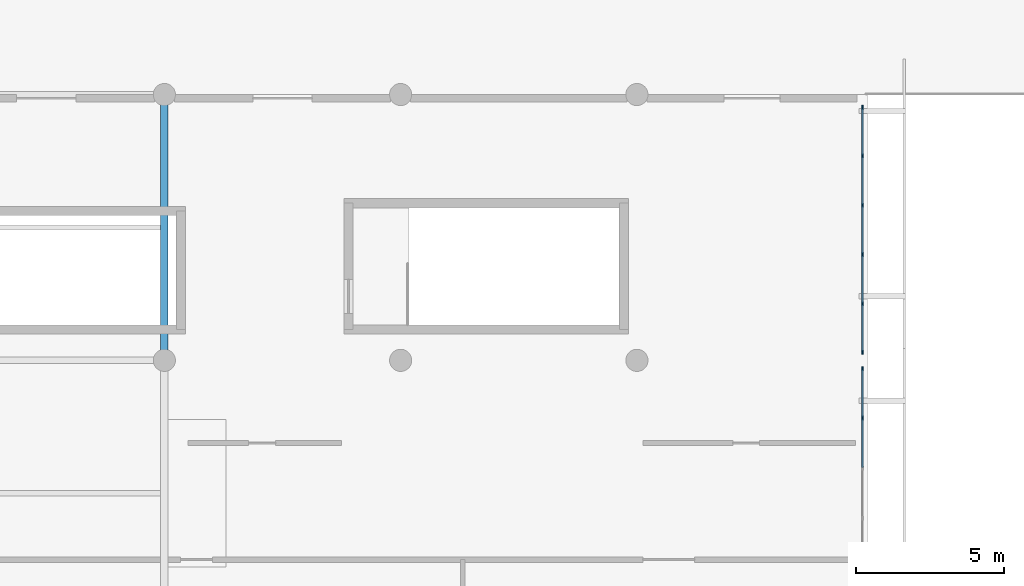
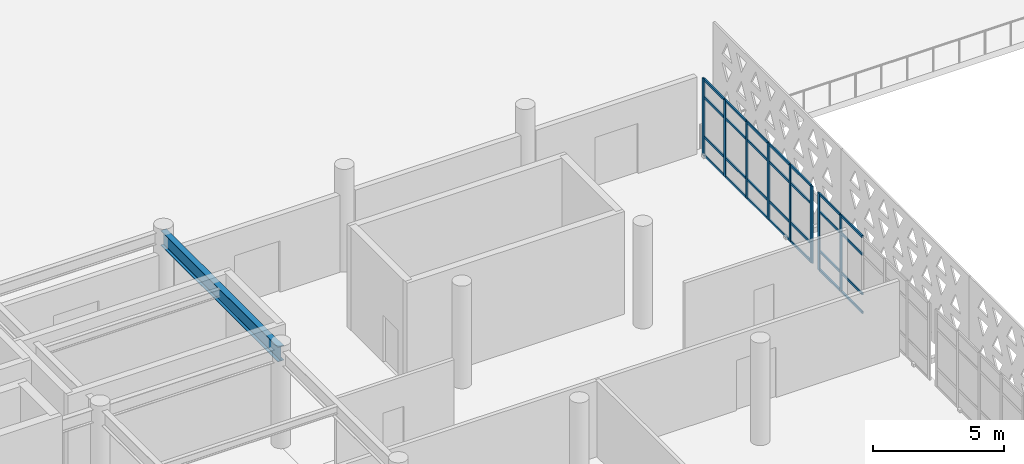
# One storey, part 15 of 33: 36 members, 1 beam, 2 elements without a shape of their own.
"""IFC4 building model written with IfcOpenShell, lengths in metres."""

import ifcopenshell
import ifcopenshell.guid

model = None  # the IFC model being written
_history = None  # IfcOwnerHistory: only IFC2X3 demands one
_inside = {}  # id of a spatial element -> (the spatial element, [elements in it])
_under = {}  # id of a project, library or spatial element -> (it, [spatial elements below it])
_declared = {}  # id of a project -> (the project, [libraries it declares])
_typed = {}  # id of a type object -> (the type object, [elements of that type])
_made_of = {}  # id of a material, layer set ... -> (it, [elements and type objects made of it])


def new_model(schema):
    """Start an empty IFC model of exactly this schema.

    Asked for "IFC4X3", IfcOpenShell would pick the latest addendum, in which some entities
    have other attributes; the version numbers below select the first issue.
    IFC2X3 requires an IfcOwnerHistory on every rooted entity: one is made here for all.
    """
    global model, _history
    if schema == "IFC4X3":
        model = ifcopenshell.file(schema_version=(4, 3, 0, 0))
    else:
        model = ifcopenshell.file(schema=schema)
    _inside.clear()
    _under.clear()
    _declared.clear()
    _typed.clear()
    _made_of.clear()
    _history = None
    if model.schema == "IFC2X3":
        org = make("IfcOrganization", Name="unknown")
        user = make(
            "IfcPersonAndOrganization",
            ThePerson=make("IfcPerson", FamilyName="unknown"),
            TheOrganization=org,
        )
        app = make(
            "IfcApplication",
            ApplicationDeveloper=org,
            Version="unknown",
            ApplicationFullName="unknown",
            ApplicationIdentifier="unknown",
        )
        _history = make(
            "IfcOwnerHistory",
            OwningUser=user,
            OwningApplication=app,
            ChangeAction="ADDED",
            CreationDate=0,
        )
    return model


def make(cls, **values):
    """One entity of the class cls with the attributes given. An attribute that is None is left unset."""
    return model.create_entity(
        cls, **{name: value for name, value in values.items() if value is not None}
    )


def rooted(cls, **values):
    """An entity with a GlobalId (a new one), such as an element, a storey or a relation."""
    return make(cls, GlobalId=ifcopenshell.guid.new(), OwnerHistory=_history, **values)


def si_unit(unit_type, name, prefix=None):
    """IfcSIUnit, for example si_unit("LENGTHUNIT", "METRE", prefix="MILLI")."""
    return make("IfcSIUnit", UnitType=unit_type, Prefix=prefix, Name=name)


def assignment(units):
    """IfcUnitAssignment: the units of a project."""
    return None if units is None else make("IfcUnitAssignment", Units=units)


def point(xyz):
    """IfcCartesianPoint."""
    return None if xyz is None else make("IfcCartesianPoint", Coordinates=xyz)


def direction(xyz):
    """IfcDirection."""
    return None if xyz is None else make("IfcDirection", DirectionRatios=xyz)


def frame(location, z_axis=None, x_axis=None):
    """IfcAxis2Placement3D, a coordinate frame: its origin and axes. An axis left out is left unset."""
    return make(
        "IfcAxis2Placement3D",
        Location=point(location),
        Axis=direction(z_axis),
        RefDirection=direction(x_axis),
    )


def frame_2d(location, x_axis=None):
    """IfcAxis2Placement2D, a coordinate frame in the plane: its origin and x axis."""
    return make(
        "IfcAxis2Placement2D", Location=point(location), RefDirection=direction(x_axis)
    )


def origin():
    """The frame at (0, 0, 0) with its axes left unset."""
    return frame((0.0, 0.0, 0.0))


def origin_2d():
    """The frame at (0, 0) in the plane with its x axis left unset."""
    return frame_2d((0.0, 0.0))


def place(relative_to, where):
    """IfcLocalPlacement: puts the frame where relative to a parent placement (None: the world)."""
    return make(
        "IfcLocalPlacement", PlacementRelTo=relative_to, RelativePlacement=where
    )


def context(
    kind, dimensions, precision=None, world=None, true_north=None, identifier=None
):
    """IfcGeometricRepresentationContext, for example the 3D "Model" context."""
    return make(
        "IfcGeometricRepresentationContext",
        ContextIdentifier=identifier,
        ContextType=kind,
        CoordinateSpaceDimension=dimensions,
        Precision=precision,
        WorldCoordinateSystem=world,
        TrueNorth=true_north,
    )


def subcontext(parent, identifier, kind, view, scale=None):
    """IfcGeometricRepresentationSubContext, for example "Body" below "Model"."""
    return make(
        "IfcGeometricRepresentationSubContext",
        ContextIdentifier=identifier,
        ContextType=kind,
        ParentContext=parent,
        TargetScale=scale,
        TargetView=view,
    )


def project(units=None, contexts=None):
    """IfcProject with its units and contexts."""
    return rooted(
        "IfcProject",
        Name="project",
        RepresentationContexts=contexts,
        UnitsInContext=assignment(units),
    )


def spatial(cls, under=None, at=None, **own):
    """A site, building, storey or space (cls), placed at a placement, below another one or the project."""
    s = rooted(cls, ObjectPlacement=at, **own)
    if under is not None:
        _under.setdefault(under.id(), (under, []))[1].append(s)
    return s


def profile(cls, at=None, kind="AREA", **sizes):
    """A parametric profile (cls). Its sizes go by their IFC names, for example OverallWidth=200.0."""
    return make(cls, ProfileType=kind, Position=at, **sizes)


def rectangle(**sizes):
    """IfcRectangleProfileDef."""
    return profile("IfcRectangleProfileDef", **sizes)


def i_section(**sizes):
    """IfcIShapeProfileDef."""
    return profile("IfcIShapeProfileDef", **sizes)


def extrude(swept, where, along, depth):
    """IfcExtrudedAreaSolid: the profile swept, set in the frame where, extruded along a direction by depth."""
    return make(
        "IfcExtrudedAreaSolid",
        SweptArea=swept,
        Position=where,
        ExtrudedDirection=direction(along),
        Depth=depth,
    )


def shape(context_of_items, identifier, shape_type, items):
    """IfcShapeRepresentation: the items that make up one representation, for example the "Body"."""
    return make(
        "IfcShapeRepresentation",
        ContextOfItems=context_of_items,
        RepresentationIdentifier=identifier,
        RepresentationType=shape_type,
        Items=items,
    )


def material(Name=None, Category=None):
    """IfcMaterial."""
    return make("IfcMaterial", Name=Name, Category=Category)


def layer(
    of_material, thickness, ventilated=None, Name=None, Category=None, Priority=None
):
    """IfcMaterialLayer: one layer of a wall or slab, of a material (None: an air gap)."""
    return make(
        "IfcMaterialLayer",
        Material=of_material,
        LayerThickness=thickness,
        IsVentilated=ventilated,
        Name=Name,
        Category=Category,
        Priority=Priority,
    )


def layer_set(layers, Name=None):
    """IfcMaterialLayerSet."""
    return make("IfcMaterialLayerSet", MaterialLayers=layers, LayerSetName=Name)


def material_profile(
    of_material, cross_section, Name=None, Category=None, Priority=None
):
    """IfcMaterialProfile: a cross section and its material."""
    return make(
        "IfcMaterialProfile",
        Name=Name,
        Material=of_material,
        Profile=cross_section,
        Priority=Priority,
        Category=Category,
    )


def profile_set(profiles, Name=None, composite=None):
    """IfcMaterialProfileSet."""
    return make(
        "IfcMaterialProfileSet",
        Name=Name,
        MaterialProfiles=profiles,
        CompositeProfile=composite,
    )


def made_of(thing, what):
    """Note that an element or type object is made of a material, layer set ...; save() writes the relation."""
    if what is not None:
        _made_of.setdefault(what.id(), (what, []))[1].append(thing)
    return thing


def type_object(cls, material=None, **own):
    """A type object (cls), such as IfcWallType, which elements share."""
    return made_of(rooted(cls, **own), material)


def element(
    cls,
    number,
    at=None,
    inside=None,
    cuts=None,
    type_object=None,
    material=None,
    context=None,
    identifier="Body",
    shape_type=None,
    held_by="IfcProductDefinitionShape",
    body=None,
    shapes=None,
    **own,
):
    """One element of the class cls, such as IfcWall. Its Tag is "e" and its number.

    at: its placement. inside: the storey or other place that contains it. cuts: it is an
    opening in that element (IfcRelVoidsElement). A single representation is given by context,
    identifier, shape_type and body (its items); several are given by shapes. held_by: the class
    of the entity that holds the representations. save() writes the other relations.
    """
    e = rooted(cls, Tag="e%d" % number, ObjectPlacement=at, **own)
    if body is not None:
        shapes = [shape(context, identifier, shape_type, body)]
    if shapes is not None:
        e.Representation = make(held_by, Representations=shapes)
    if inside is not None:
        _inside.setdefault(inside.id(), (inside, []))[1].append(e)
    if cuts is not None:
        rooted(
            "IfcRelVoidsElement", RelatingBuildingElement=cuts, RelatedOpeningElement=e
        )
    if type_object is not None:
        _typed.setdefault(type_object.id(), (type_object, []))[1].append(e)
    return made_of(e, material)


def aggregate(whole, parts):
    """IfcRelAggregates: a whole, such as a stair, and the parts it consists of."""
    return rooted("IfcRelAggregates", RelatingObject=whole, RelatedObjects=parts)


def save(model, path):
    """Write the relations noted so far, then the file.

    IfcRelAggregates (storeys below a building ...), IfcRelContainedInSpatialStructure (elements
    in a storey), IfcRelDefinesByType, IfcRelAssociatesMaterial and IfcRelDeclares: one each for
    every whole, place, type object, material and project.
    """
    for whole, parts in _under.values():
        aggregate(whole, parts)
    for where, things in _inside.values():
        rooted(
            "IfcRelContainedInSpatialStructure",
            RelatedElements=things,
            RelatingStructure=where,
        )
    for kind, things in _typed.values():
        rooted("IfcRelDefinesByType", RelatedObjects=things, RelatingType=kind)
    for what, things in _made_of.values():
        rooted("IfcRelAssociatesMaterial", RelatedObjects=things, RelatingMaterial=what)
    for by, libraries in _declared.values():
        rooted("IfcRelDeclares", RelatingContext=by, RelatedDefinitions=libraries)
    model.write(path)


model = new_model("IFC4")

# Units and contexts
model_context = context("Model", 3, precision=1e-05, world=origin(), true_north=direction((0.0, 1.0)))
body_context = subcontext(model_context, "Body", "Model", "MODEL_VIEW")
ifc_project = project(units=[si_unit("LENGTHUNIT", "METRE"), si_unit("AREAUNIT", "SQUARE_METRE"), si_unit("VOLUMEUNIT", "CUBIC_METRE"), si_unit("PLANEANGLEUNIT", "RADIAN"), si_unit("MASSUNIT", "GRAM", prefix="KILO")], contexts=[model_context])

# Site, building, storey
site_placement = place(None, origin())
site = spatial("IfcSite", under=ifc_project, at=site_placement, CompositionType="ELEMENT")
building_placement = place(site_placement, origin())
building = spatial("IfcBuilding", under=site, at=building_placement, Name="Tlacozan Convention Centre", CompositionType="ELEMENT")
storey_placement = place(building_placement, frame((0.0, 0.0, 16.199951171875)))
storey = spatial("IfcBuildingStorey", under=building, at=storey_placement, Name="L03", CompositionType="ELEMENT", Elevation=16.199951171875)

# Curtain wall, members
ifc_material_1 = material(Name="Dark Bronze Anodised Aluminium", Category="aluminium")
ifc_layer = layer(ifc_material_1, 0.159912109375)
ifc_layer_set = layer_set([ifc_layer], Name="Dark Bronze Anodised Aluminium")
curtain_wall_type = type_object("IfcCurtainWallType", Name="Unitised Congress Gable End CW06", PredefinedType="NOTDEFINED", material=ifc_layer_set)
curtain_wall_1_placement = place(storey_placement, origin())
curtain_wall_1 = element("IfcCurtainWall", 1, at=curtain_wall_1_placement, inside=storey, type_object=curtain_wall_type, Name="L03 CW-06 Run 121", PredefinedType="NOTDEFINED")
ifc_material_profile_1 = material_profile(ifc_material_1, rectangle(XDim=0.06005859375, YDim=0.139892578125, at=origin_2d()), Name="ALU 60x140")
ifc_profile_set_1 = profile_set([ifc_material_profile_1], Name="Dark Bronze Anodised Aluminium")
member_type_1 = type_object("IfcMemberType", Name="Curtain Wall Light Mullion 60x140", PredefinedType="MULLION", material=ifc_profile_set_1)
member_1_placement = place(storey_placement, frame((119.639892578125, 16.050048828125, 0.0), z_axis=(0.0, 0.0, 1.0), x_axis=(-1.0, 0.0, 0.0)))
member_1 = element("IfcMember", 2, at=member_1_placement, type_object=member_type_1, Name="CW-06 mullion 5", PredefinedType="MULLION", context=body_context, shape_type="SweptSolid", body=[
    extrude(rectangle(XDim=0.06005859375, YDim=0.139892578125, at=origin_2d()), origin(), (0.0, 0.0, 1.0), 3.60009765625),
])
member_2_placement = place(storey_placement, frame((119.639892578125, 17.719970703125, 0.0), z_axis=(0.0, 0.0, 1.0), x_axis=(-1.0, 0.0, 0.0)))
member_2 = element("IfcMember", 3, at=member_2_placement, type_object=member_type_1, Name="CW-06 mullion 6", PredefinedType="MULLION", context=body_context, shape_type="SweptSolid", body=[
    extrude(rectangle(XDim=0.06005859375, YDim=0.139892578125, at=origin_2d()), origin(), (0.0, 0.0, 1.0), 3.60009765625),
])

curtain_wall_2_placement = place(storey_placement, origin())
curtain_wall_2 = element("IfcCurtainWall", 4, at=curtain_wall_2_placement, inside=storey, type_object=curtain_wall_type, Name="L03 CW-06 Run 123", PredefinedType="NOTDEFINED")
member_3_placement = place(storey_placement, frame((119.639892578125, 18.280029296875, 0.0), z_axis=(0.0, 0.0, 1.0), x_axis=(-1.0, 0.0, 0.0)))
member_3 = element("IfcMember", 5, at=member_3_placement, type_object=member_type_1, Name="CW-06 mullion 1", PredefinedType="MULLION", context=body_context, shape_type="SweptSolid", body=[
    extrude(rectangle(XDim=0.06005859375, YDim=0.139892578125, at=origin_2d()), origin(), (0.0, 0.0, 1.0), 3.60009765625),
])
member_4_placement = place(storey_placement, frame((119.639892578125, 19.91796875, 0.0), z_axis=(0.0, 0.0, 1.0), x_axis=(-1.0, 0.0, 0.0)))
member_4 = element("IfcMember", 6, at=member_4_placement, type_object=member_type_1, Name="CW-06 mullion 2", PredefinedType="MULLION", context=body_context, shape_type="SweptSolid", body=[
    extrude(rectangle(XDim=0.06005859375, YDim=0.139892578125, at=origin_2d()), origin(), (0.0, 0.0, 1.0), 3.60009765625),
])
member_5_placement = place(storey_placement, frame((119.639892578125, 21.5859375, 0.0), z_axis=(0.0, 0.0, 1.0), x_axis=(-1.0, 0.0, 0.0)))
member_5 = element("IfcMember", 7, at=member_5_placement, type_object=member_type_1, Name="CW-06 mullion 3", PredefinedType="MULLION", context=body_context, shape_type="SweptSolid", body=[
    extrude(rectangle(XDim=0.06005859375, YDim=0.139892578125, at=origin_2d()), origin(), (0.0, 0.0, 1.0), 3.60009765625),
])
member_6_placement = place(storey_placement, frame((119.639892578125, 23.25390625, 0.0), z_axis=(0.0, 0.0, 1.0), x_axis=(-1.0, 0.0, 0.0)))
member_6 = element("IfcMember", 8, at=member_6_placement, type_object=member_type_1, Name="CW-06 mullion 4", PredefinedType="MULLION", context=body_context, shape_type="SweptSolid", body=[
    extrude(rectangle(XDim=0.06005859375, YDim=0.139892578125, at=origin_2d()), origin(), (0.0, 0.0, 1.0), 3.60009765625),
])
member_7_placement = place(storey_placement, frame((119.639892578125, 24.922119140625, 0.0), z_axis=(0.0, 0.0, 1.0), x_axis=(-1.0, 0.0, 0.0)))
member_7 = element("IfcMember", 9, at=member_7_placement, type_object=member_type_1, Name="CW-06 mullion 5", PredefinedType="MULLION", context=body_context, shape_type="SweptSolid", body=[
    extrude(rectangle(XDim=0.06005859375, YDim=0.139892578125, at=origin_2d()), origin(), (0.0, 0.0, 1.0), 3.60009765625),
])
member_8_placement = place(storey_placement, frame((119.639892578125, 26.56005859375, 0.0), z_axis=(0.0, 0.0, 1.0), x_axis=(-1.0, 0.0, 0.0)))
member_8 = element("IfcMember", 10, at=member_8_placement, type_object=member_type_1, Name="CW-06 mullion 6", PredefinedType="MULLION", context=body_context, shape_type="SweptSolid", body=[
    extrude(rectangle(XDim=0.06005859375, YDim=0.139892578125, at=origin_2d()), origin(), (0.0, 0.0, 1.0), 3.60009765625),
])

# Member
ifc_material_profile_2 = material_profile(ifc_material_1, rectangle(XDim=0.06005859375, YDim=0.110107421875, at=origin_2d()), Name="ALU 60x110")
ifc_profile_set_2 = profile_set([ifc_material_profile_2], Name="Dark Bronze Anodised Aluminium")
member_type_2 = type_object("IfcMemberType", Name="Curtain Wall Light Transom 60x110", PredefinedType="USERDEFINED", material=ifc_profile_set_2)
member_9_placement = place(storey_placement, frame((119.639892578125, 14.3798828125, 0.030029296875), z_axis=(0.0, 1.0, 0.0), x_axis=(-1.0, 0.0, 0.0)))
member_9 = element("IfcMember", 11, at=member_9_placement, type_object=member_type_2, Name="CW-06 transom 4.1", ObjectType="TRANSOM", PredefinedType="USERDEFINED", context=body_context, shape_type="SweptSolid", body=[
    extrude(rectangle(XDim=0.06005859375, YDim=0.110107421875, at=origin_2d()), origin(), (0.0, 0.0, 1.0), 1.64013671875),
])

member_10_placement = place(storey_placement, frame((119.639892578125, 14.3798828125, 0.900146484375), z_axis=(0.0, 1.0, 0.0), x_axis=(-1.0, 0.0, 0.0)))
member_10 = element("IfcMember", 12, at=member_10_placement, type_object=member_type_2, Name="CW-06 transom 4.2", ObjectType="TRANSOM", PredefinedType="USERDEFINED", context=body_context, shape_type="SweptSolid", body=[
    extrude(rectangle(XDim=0.06005859375, YDim=0.110107421875, at=origin_2d()), origin(), (0.0, 0.0, 1.0), 1.64013671875),
])

member_11_placement = place(storey_placement, frame((119.639892578125, 14.3798828125, 2.75), z_axis=(0.0, 1.0, 0.0), x_axis=(-1.0, 0.0, 0.0)))
member_11 = element("IfcMember", 13, at=member_11_placement, type_object=member_type_2, Name="CW-06 transom 4.3", ObjectType="TRANSOM", PredefinedType="USERDEFINED", context=body_context, shape_type="SweptSolid", body=[
    extrude(rectangle(XDim=0.06005859375, YDim=0.110107421875, at=origin_2d()), origin(), (0.0, 0.0, 1.0), 1.64013671875),
])

member_12_placement = place(storey_placement, frame((119.639892578125, 14.3798828125, 3.570068359375), z_axis=(0.0, 1.0, 0.0), x_axis=(-1.0, 0.0, 0.0)))
member_12 = element("IfcMember", 14, at=member_12_placement, type_object=member_type_2, Name="CW-06 transom 4.4", ObjectType="TRANSOM", PredefinedType="USERDEFINED", context=body_context, shape_type="SweptSolid", body=[
    extrude(rectangle(XDim=0.06005859375, YDim=0.110107421875, at=origin_2d()), origin(), (0.0, 0.0, 1.0), 1.64013671875),
])

member_13_placement = place(storey_placement, frame((119.639892578125, 16.080078125, 0.030029296875), z_axis=(0.0, 1.0, 0.0), x_axis=(-1.0, 0.0, 0.0)))
member_13 = element("IfcMember", 15, at=member_13_placement, type_object=member_type_2, Name="CW-06 transom 5.1", ObjectType="TRANSOM", PredefinedType="USERDEFINED", context=body_context, shape_type="SweptSolid", body=[
    extrude(rectangle(XDim=0.06005859375, YDim=0.110107421875, at=origin_2d()), origin(), (0.0, 0.0, 1.0), 1.60986328125),
])

member_14_placement = place(storey_placement, frame((119.639892578125, 16.080078125, 0.900146484375), z_axis=(0.0, 1.0, 0.0), x_axis=(-1.0, 0.0, 0.0)))
member_14 = element("IfcMember", 16, at=member_14_placement, type_object=member_type_2, Name="CW-06 transom 5.2", ObjectType="TRANSOM", PredefinedType="USERDEFINED", context=body_context, shape_type="SweptSolid", body=[
    extrude(rectangle(XDim=0.06005859375, YDim=0.110107421875, at=origin_2d()), origin(), (0.0, 0.0, 1.0), 1.60986328125),
])

member_15_placement = place(storey_placement, frame((119.639892578125, 16.080078125, 2.75), z_axis=(0.0, 1.0, 0.0), x_axis=(-1.0, 0.0, 0.0)))
member_15 = element("IfcMember", 17, at=member_15_placement, type_object=member_type_2, Name="CW-06 transom 5.3", ObjectType="TRANSOM", PredefinedType="USERDEFINED", context=body_context, shape_type="SweptSolid", body=[
    extrude(rectangle(XDim=0.06005859375, YDim=0.110107421875, at=origin_2d()), origin(), (0.0, 0.0, 1.0), 1.60986328125),
])

member_16_placement = place(storey_placement, frame((119.639892578125, 16.080078125, 3.570068359375), z_axis=(0.0, 1.0, 0.0), x_axis=(-1.0, 0.0, 0.0)))
member_16 = element("IfcMember", 18, at=member_16_placement, type_object=member_type_2, Name="CW-06 transom 5.4", ObjectType="TRANSOM", PredefinedType="USERDEFINED", context=body_context, shape_type="SweptSolid", body=[
    extrude(rectangle(XDim=0.06005859375, YDim=0.110107421875, at=origin_2d()), origin(), (0.0, 0.0, 1.0), 1.60986328125),
])

aggregate(curtain_wall_1, [member_1, member_2, member_9, member_10, member_11, member_12, member_13, member_14, member_15, member_16])

member_17_placement = place(storey_placement, frame((119.639892578125, 18.31005859375, 0.030029296875), z_axis=(0.0, 1.0, 0.0), x_axis=(-1.0, 0.0, 0.0)))
member_17 = element("IfcMember", 19, at=member_17_placement, type_object=member_type_2, Name="CW-06 transom 1.1", ObjectType="TRANSOM", PredefinedType="USERDEFINED", context=body_context, shape_type="SweptSolid", body=[
    extrude(rectangle(XDim=0.06005859375, YDim=0.110107421875, at=origin_2d()), origin(), (0.0, 0.0, 1.0), 1.577880859375),
])

member_18_placement = place(storey_placement, frame((119.639892578125, 18.31005859375, 0.900146484375), z_axis=(0.0, 1.0, 0.0), x_axis=(-1.0, 0.0, 0.0)))
member_18 = element("IfcMember", 20, at=member_18_placement, type_object=member_type_2, Name="CW-06 transom 1.2", ObjectType="TRANSOM", PredefinedType="USERDEFINED", context=body_context, shape_type="SweptSolid", body=[
    extrude(rectangle(XDim=0.06005859375, YDim=0.110107421875, at=origin_2d()), origin(), (0.0, 0.0, 1.0), 1.577880859375),
])

member_19_placement = place(storey_placement, frame((119.639892578125, 18.31005859375, 2.75), z_axis=(0.0, 1.0, 0.0), x_axis=(-1.0, 0.0, 0.0)))
member_19 = element("IfcMember", 21, at=member_19_placement, type_object=member_type_2, Name="CW-06 transom 1.3", ObjectType="TRANSOM", PredefinedType="USERDEFINED", context=body_context, shape_type="SweptSolid", body=[
    extrude(rectangle(XDim=0.06005859375, YDim=0.110107421875, at=origin_2d()), origin(), (0.0, 0.0, 1.0), 1.577880859375),
])

member_20_placement = place(storey_placement, frame((119.639892578125, 18.31005859375, 3.570068359375), z_axis=(0.0, 1.0, 0.0), x_axis=(-1.0, 0.0, 0.0)))
member_20 = element("IfcMember", 22, at=member_20_placement, type_object=member_type_2, Name="CW-06 transom 1.4", ObjectType="TRANSOM", PredefinedType="USERDEFINED", context=body_context, shape_type="SweptSolid", body=[
    extrude(rectangle(XDim=0.06005859375, YDim=0.110107421875, at=origin_2d()), origin(), (0.0, 0.0, 1.0), 1.577880859375),
])

member_21_placement = place(storey_placement, frame((119.639892578125, 19.947998046875, 0.030029296875), z_axis=(0.0, 1.0, 0.0), x_axis=(-1.0, 0.0, 0.0)))
member_21 = element("IfcMember", 23, at=member_21_placement, type_object=member_type_2, Name="CW-06 transom 2.1", ObjectType="TRANSOM", PredefinedType="USERDEFINED", context=body_context, shape_type="SweptSolid", body=[
    extrude(rectangle(XDim=0.06005859375, YDim=0.110107421875, at=origin_2d()), origin(), (0.0, 0.0, 1.0), 1.60791015625),
])

member_22_placement = place(storey_placement, frame((119.639892578125, 19.947998046875, 0.900146484375), z_axis=(0.0, 1.0, 0.0), x_axis=(-1.0, 0.0, 0.0)))
member_22 = element("IfcMember", 24, at=member_22_placement, type_object=member_type_2, Name="CW-06 transom 2.2", ObjectType="TRANSOM", PredefinedType="USERDEFINED", context=body_context, shape_type="SweptSolid", body=[
    extrude(rectangle(XDim=0.06005859375, YDim=0.110107421875, at=origin_2d()), origin(), (0.0, 0.0, 1.0), 1.60791015625),
])

member_23_placement = place(storey_placement, frame((119.639892578125, 19.947998046875, 2.75), z_axis=(0.0, 1.0, 0.0), x_axis=(-1.0, 0.0, 0.0)))
member_23 = element("IfcMember", 25, at=member_23_placement, type_object=member_type_2, Name="CW-06 transom 2.3", ObjectType="TRANSOM", PredefinedType="USERDEFINED", context=body_context, shape_type="SweptSolid", body=[
    extrude(rectangle(XDim=0.06005859375, YDim=0.110107421875, at=origin_2d()), origin(), (0.0, 0.0, 1.0), 1.60791015625),
])

member_24_placement = place(storey_placement, frame((119.639892578125, 19.947998046875, 3.570068359375), z_axis=(0.0, 1.0, 0.0), x_axis=(-1.0, 0.0, 0.0)))
member_24 = element("IfcMember", 26, at=member_24_placement, type_object=member_type_2, Name="CW-06 transom 2.4", ObjectType="TRANSOM", PredefinedType="USERDEFINED", context=body_context, shape_type="SweptSolid", body=[
    extrude(rectangle(XDim=0.06005859375, YDim=0.110107421875, at=origin_2d()), origin(), (0.0, 0.0, 1.0), 1.60791015625),
])

member_25_placement = place(storey_placement, frame((119.639892578125, 21.615966796875, 0.030029296875), z_axis=(0.0, 1.0, 0.0), x_axis=(-1.0, 0.0, 0.0)))
member_25 = element("IfcMember", 27, at=member_25_placement, type_object=member_type_2, Name="CW-06 transom 3.1", ObjectType="TRANSOM", PredefinedType="USERDEFINED", context=body_context, shape_type="SweptSolid", body=[
    extrude(rectangle(XDim=0.06005859375, YDim=0.110107421875, at=origin_2d()), origin(), (0.0, 0.0, 1.0), 1.608154296875),
])

member_26_placement = place(storey_placement, frame((119.639892578125, 21.615966796875, 0.900146484375), z_axis=(0.0, 1.0, 0.0), x_axis=(-1.0, 0.0, 0.0)))
member_26 = element("IfcMember", 28, at=member_26_placement, type_object=member_type_2, Name="CW-06 transom 3.2", ObjectType="TRANSOM", PredefinedType="USERDEFINED", context=body_context, shape_type="SweptSolid", body=[
    extrude(rectangle(XDim=0.06005859375, YDim=0.110107421875, at=origin_2d()), origin(), (0.0, 0.0, 1.0), 1.608154296875),
])

member_27_placement = place(storey_placement, frame((119.639892578125, 21.615966796875, 2.75), z_axis=(0.0, 1.0, 0.0), x_axis=(-1.0, 0.0, 0.0)))
member_27 = element("IfcMember", 29, at=member_27_placement, type_object=member_type_2, Name="CW-06 transom 3.3", ObjectType="TRANSOM", PredefinedType="USERDEFINED", context=body_context, shape_type="SweptSolid", body=[
    extrude(rectangle(XDim=0.06005859375, YDim=0.110107421875, at=origin_2d()), origin(), (0.0, 0.0, 1.0), 1.608154296875),
])

member_28_placement = place(storey_placement, frame((119.639892578125, 21.615966796875, 3.570068359375), z_axis=(0.0, 1.0, 0.0), x_axis=(-1.0, 0.0, 0.0)))
member_28 = element("IfcMember", 30, at=member_28_placement, type_object=member_type_2, Name="CW-06 transom 3.4", ObjectType="TRANSOM", PredefinedType="USERDEFINED", context=body_context, shape_type="SweptSolid", body=[
    extrude(rectangle(XDim=0.06005859375, YDim=0.110107421875, at=origin_2d()), origin(), (0.0, 0.0, 1.0), 1.608154296875),
])

member_29_placement = place(storey_placement, frame((119.639892578125, 23.283935546875, 0.030029296875), z_axis=(0.0, 1.0, 0.0), x_axis=(-1.0, 0.0, 0.0)))
member_29 = element("IfcMember", 31, at=member_29_placement, type_object=member_type_2, Name="CW-06 transom 4.1", ObjectType="TRANSOM", PredefinedType="USERDEFINED", context=body_context, shape_type="SweptSolid", body=[
    extrude(rectangle(XDim=0.06005859375, YDim=0.110107421875, at=origin_2d()), origin(), (0.0, 0.0, 1.0), 1.608154296875),
])

member_30_placement = place(storey_placement, frame((119.639892578125, 23.283935546875, 0.900146484375), z_axis=(0.0, 1.0, 0.0), x_axis=(-1.0, 0.0, 0.0)))
member_30 = element("IfcMember", 32, at=member_30_placement, type_object=member_type_2, Name="CW-06 transom 4.2", ObjectType="TRANSOM", PredefinedType="USERDEFINED", context=body_context, shape_type="SweptSolid", body=[
    extrude(rectangle(XDim=0.06005859375, YDim=0.110107421875, at=origin_2d()), origin(), (0.0, 0.0, 1.0), 1.608154296875),
])

member_31_placement = place(storey_placement, frame((119.639892578125, 23.283935546875, 2.75), z_axis=(0.0, 1.0, 0.0), x_axis=(-1.0, 0.0, 0.0)))
member_31 = element("IfcMember", 33, at=member_31_placement, type_object=member_type_2, Name="CW-06 transom 4.3", ObjectType="TRANSOM", PredefinedType="USERDEFINED", context=body_context, shape_type="SweptSolid", body=[
    extrude(rectangle(XDim=0.06005859375, YDim=0.110107421875, at=origin_2d()), origin(), (0.0, 0.0, 1.0), 1.608154296875),
])

member_32_placement = place(storey_placement, frame((119.639892578125, 23.283935546875, 3.570068359375), z_axis=(0.0, 1.0, 0.0), x_axis=(-1.0, 0.0, 0.0)))
member_32 = element("IfcMember", 34, at=member_32_placement, type_object=member_type_2, Name="CW-06 transom 4.4", ObjectType="TRANSOM", PredefinedType="USERDEFINED", context=body_context, shape_type="SweptSolid", body=[
    extrude(rectangle(XDim=0.06005859375, YDim=0.110107421875, at=origin_2d()), origin(), (0.0, 0.0, 1.0), 1.608154296875),
])

member_33_placement = place(storey_placement, frame((119.639892578125, 24.951904296875, 0.030029296875), z_axis=(0.0, 1.0, 0.0), x_axis=(-1.0, 0.0, 0.0)))
member_33 = element("IfcMember", 35, at=member_33_placement, type_object=member_type_2, Name="CW-06 transom 5.1", ObjectType="TRANSOM", PredefinedType="USERDEFINED", context=body_context, shape_type="SweptSolid", body=[
    extrude(rectangle(XDim=0.06005859375, YDim=0.110107421875, at=origin_2d()), origin(), (0.0, 0.0, 1.0), 1.578125),
])

member_34_placement = place(storey_placement, frame((119.639892578125, 24.951904296875, 0.900146484375), z_axis=(0.0, 1.0, 0.0), x_axis=(-1.0, 0.0, 0.0)))
member_34 = element("IfcMember", 36, at=member_34_placement, type_object=member_type_2, Name="CW-06 transom 5.2", ObjectType="TRANSOM", PredefinedType="USERDEFINED", context=body_context, shape_type="SweptSolid", body=[
    extrude(rectangle(XDim=0.06005859375, YDim=0.110107421875, at=origin_2d()), origin(), (0.0, 0.0, 1.0), 1.578125),
])

member_35_placement = place(storey_placement, frame((119.639892578125, 24.951904296875, 2.75), z_axis=(0.0, 1.0, 0.0), x_axis=(-1.0, 0.0, 0.0)))
member_35 = element("IfcMember", 37, at=member_35_placement, type_object=member_type_2, Name="CW-06 transom 5.3", ObjectType="TRANSOM", PredefinedType="USERDEFINED", context=body_context, shape_type="SweptSolid", body=[
    extrude(rectangle(XDim=0.06005859375, YDim=0.110107421875, at=origin_2d()), origin(), (0.0, 0.0, 1.0), 1.578125),
])

member_36_placement = place(storey_placement, frame((119.639892578125, 24.951904296875, 3.570068359375), z_axis=(0.0, 1.0, 0.0), x_axis=(-1.0, 0.0, 0.0)))
member_36 = element("IfcMember", 38, at=member_36_placement, type_object=member_type_2, Name="CW-06 transom 5.4", ObjectType="TRANSOM", PredefinedType="USERDEFINED", context=body_context, shape_type="SweptSolid", body=[
    extrude(rectangle(XDim=0.06005859375, YDim=0.110107421875, at=origin_2d()), origin(), (0.0, 0.0, 1.0), 1.578125),
])

aggregate(curtain_wall_2, [member_3, member_4, member_5, member_6, member_7, member_8, member_17, member_18, member_19, member_20, member_21, member_22, member_23, member_24, member_25, member_26, member_27, member_28, member_29, member_30, member_31, member_32, member_33, member_34, member_35, member_36])

# Beam
ifc_material_2 = material(Name="Steel ASTM A992 Grade 50", Category="steel")
ifc_material_profile_3 = material_profile(ifc_material_2, i_section(OverallWidth=0.256103515625, OverallDepth=0.693115234375, WebThickness=0.014404296875, FlangeThickness=0.023681640625, FilletRadius=0.014892578125, at=origin_2d()), Name="IR 686x170.0")
ifc_profile_set_3 = profile_set([ifc_material_profile_3], Name="Steel ASTM A992 Grade 50")
beam_type = type_object("IfcBeamType", Name="Girder Steel IR 686x170", PredefinedType="BEAM", material=ifc_profile_set_3)
beam_placement = place(storey_placement, frame((96.0, 18.0, 4.18359375), z_axis=(0.0, 1.0, 0.0), x_axis=(-1.0, 0.0, 0.0)))
element("IfcBeam", 39, at=beam_placement, inside=storey, type_object=beam_type, Name="L03 Girder Steel IR 686x170 572", PredefinedType="BEAM", context=body_context, shape_type="SweptSolid", body=[
    extrude(i_section(OverallWidth=0.256103515625, OverallDepth=0.693115234375, WebThickness=0.014404296875, FlangeThickness=0.023681640625, FilletRadius=0.014892578125, at=origin_2d()), origin(), (0.0, 0.0, 1.0), 9.0),
])

save(model, "model.ifc")
